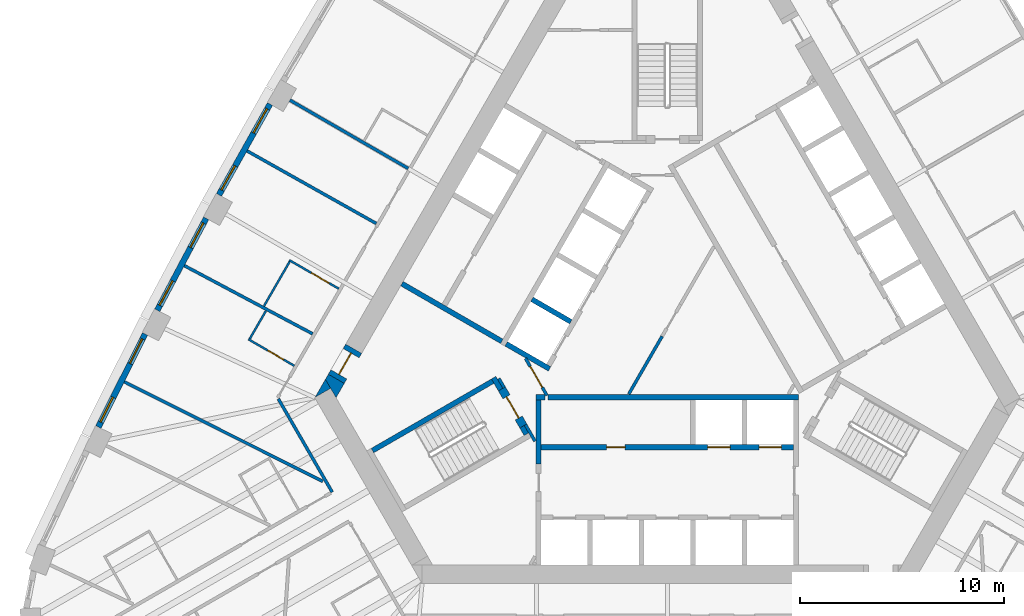
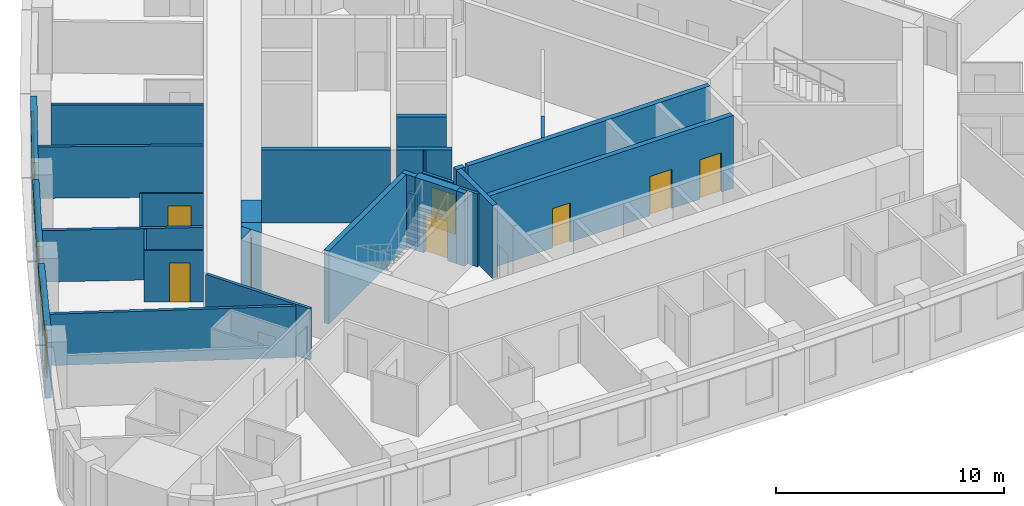
# One storey, part 5 of 13: 30 walls, 8 doors, 6 windows, 14 openings.
"""IFC4 building model written with IfcOpenShell, lengths in metres."""

from ifc_helpers import new_model, si_unit, direction, frame, frame_2d, origin, place, context, subcontext, project, spatial, polyline, rectangle, outline, extrude, material, layer, layer_set, type_object, element, fill, save


model = new_model("IFC4")

# Units and contexts
model_context = context("Model", 3, precision=1e-05, world=origin(), true_north=direction((0.0, 1.0)))
body_context = subcontext(model_context, "Body", "Model", "MODEL_VIEW")
ifc_project = project(units=[si_unit("LENGTHUNIT", "METRE"), si_unit("AREAUNIT", "SQUARE_METRE"), si_unit("VOLUMEUNIT", "CUBIC_METRE"), si_unit("PLANEANGLEUNIT", "RADIAN"), si_unit("MASSUNIT", "GRAM", prefix="KILO")], contexts=[model_context])

# Site, building, storey
site_placement = place(None, origin())
site = spatial("IfcSite", under=ifc_project, at=site_placement, CompositionType="ELEMENT")
building_placement = place(site_placement, origin())
building = spatial("IfcBuilding", under=site, at=building_placement, Name="Mestral Congress Tower", CompositionType="ELEMENT")
storey_placement = place(building_placement, frame((0.0, 0.0, 83.699951171875)))
storey = spatial("IfcBuildingStorey", under=building, at=storey_placement, Name="L19", CompositionType="ELEMENT", Elevation=83.699951171875)

# Walls
ifc_material_1 = material(Name="Fire-rated board partition")
ifc_layer_1 = layer(ifc_material_1, 0.14990234375)
ifc_layer_set_1 = layer_set([ifc_layer_1], Name="Fire-rated board partition")
wall_type_1 = type_object("IfcWallType", Name="Core partition 150", PredefinedType="PARTITIONING", material=ifc_layer_set_1)
wall_1_placement = place(storey_placement, frame((-8.251953125, -2.958251953125, 0.0), z_axis=(0.0, 0.0, 1.0), x_axis=(0.500174715838, -0.865924508047, 0.0)))
element("IfcWall", 1, at=wall_1_placement, inside=storey, type_object=wall_type_1, Name="L19 core wall", PredefinedType="PARTITIONING", context=body_context, shape_type="SweptSolid", body=[
    extrude(rectangle(XDim=0.513916015625, YDim=0.14990234375, at=frame_2d((0.2568359375, 0.0))), origin(), (0.0, 0.0, 1.0), 2.75),
])
wall_2_placement = place(storey_placement, frame((-1.886962890625, -3.71826171875, 0.0), z_axis=(0.0, 0.0, 1.0), x_axis=(0.500033287521, 0.866006184372, 0.0)))
element("IfcWall", 2, at=wall_2_placement, inside=storey, type_object=wall_type_1, Name="L19 core wall", PredefinedType="PARTITIONING", context=body_context, shape_type="SweptSolid", body=[
    extrude(rectangle(XDim=3.263427734375, YDim=0.14990234375, at=frame_2d((1.6318359375, 0.0))), origin(), (0.0, 0.0, 1.0), 2.75),
])

# Wall, opening, door
wall_3_placement = place(storey_placement, frame((-5.89501953125, -3.789794921875, 0.0), z_axis=(0.0, 0.0, 1.0), x_axis=(-0.49994051562, 0.866059744384, 0.0)))
wall_3 = element("IfcWall", 3, at=wall_3_placement, inside=storey, type_object=wall_type_1, Name="L19 door wall", PredefinedType="PARTITIONING", context=body_context, shape_type="SweptSolid", body=[
    extrude(rectangle(XDim=2.099853515625, YDim=0.14990234375, at=frame_2d((1.0498046875, 0.0))), origin(), (0.0, 0.0, 1.0), 2.75),
])
opening_1_placement = place(wall_3_placement, frame((0.449951171875, 0.0, 0.0)))
opening_1 = element("IfcOpeningElement", 4, at=opening_1_placement, cuts=wall_3, Name="Opening CD3-FF", PredefinedType="OPENING", context=body_context, shape_type="SweptSolid", body=[
    extrude(rectangle(XDim=1.199951171875, YDim=2.10009765625, at=frame_2d((0.60009765625, 1.050048828125))), frame((0.0, 0.0849609375, 0.0), z_axis=(0.0, -1.0, 0.0), x_axis=(1.0, 0.0, 0.0)), (0.0, 0.0, 1.0), 0.169921875),
])
ifc_material_2 = material(Name="Fire-rated steel door set", Category="steel")
door_type_1 = type_object("IfcDoorType", Name="Core door CD 1200x2100", OperationType="SINGLE_SWING_LEFT", PredefinedType="DOOR", material=ifc_material_2)
door_1_placement = place(opening_1_placement, origin())
door_1 = element("IfcDoor", 5, at=door_1_placement, inside=storey, type_object=door_type_1, Name="Door CD3-FF", OperationType="SINGLE_SWING_LEFT", OverallHeight=2.10009765625, OverallWidth=1.199951171875, PredefinedType="DOOR", context=body_context, shape_type="SweptSolid", body=[
    extrude(rectangle(XDim=1.199951171875, YDim=2.10009765625, at=frame_2d((0.60009765625, 1.050048828125))), frame((0.0, 0.02490234375, 0.0), z_axis=(0.0, -1.0, 0.0), x_axis=(1.0, 0.0, 0.0)), (0.0, 0.0, 1.0), 0.050048828125),
])
fill(opening_1, door_1)

# Walls
ifc_material_3 = material(Name="Concrete C60/75", Category="concrete")
ifc_layer_2 = layer(ifc_material_3, 0.89990234375)
ifc_layer_set_2 = layer_set([ifc_layer_2], Name="Concrete C60/75")
wall_type_2 = type_object("IfcWallType", Name="Core wall RC 900", PredefinedType="SOLIDWALL", material=ifc_layer_set_2)
placement = place(storey_placement, origin())
element("IfcWall", 6, at=placement, inside=storey, type_object=wall_type_2, Name="L19 core wall", PredefinedType="SOLIDWALL", context=body_context, shape_type="SweptSolid", body=[
    extrude(outline(polyline([(-16.4892578125, -3.43994140625), (-17.251220703125, -3.8798828125), (-16.7431640625, -3.0), (-16.4892578125, -3.43994140625)])), origin(), (0.0, 0.0, 1.0), 3.900146484375),
])
element("IfcWall", 7, at=placement, inside=storey, type_object=wall_type_2, Name="L19 core wall", PredefinedType="SOLIDWALL", context=body_context, shape_type="SweptSolid", body=[
    extrude(outline(polyline([(-15.81982421875, -3.20068359375), (-16.223388671875, -3.89990234375), (-16.7431640625, -3.0), (-16.599365234375, -2.750732421875), (-15.81982421875, -3.20068359375)])), origin(), (0.0, 0.0, 1.0), 3.900146484375),
])

# Wall, opening, door
wall_6_placement = place(storey_placement, frame((-16.20947265625, -2.9755859375, 0.0), z_axis=(0.0, 0.0, 1.0), x_axis=(0.499954529098, 0.86605165483, 0.0)))
wall_6 = element("IfcWall", 8, at=wall_6_placement, inside=storey, type_object=wall_type_2, Name="L19 door wall", PredefinedType="SOLIDWALL", context=body_context, shape_type="SweptSolid", body=[
    extrude(rectangle(XDim=1.699951171875, YDim=0.89990234375, at=frame_2d((0.85009765625, 0.0))), origin(), (0.0, 0.0, 1.0), 3.900146484375),
])
opening_2_placement = place(wall_6_placement, frame((0.25, 0.0, 0.0)))
opening_2 = element("IfcOpeningElement", 9, at=opening_2_placement, cuts=wall_6, Name="Opening XD3", PredefinedType="OPENING", context=body_context, shape_type="SweptSolid", body=[
    extrude(rectangle(XDim=1.199951171875, YDim=2.10009765625, at=frame_2d((0.60009765625, 1.050048828125))), frame((0.0, 0.4599609375, 0.0), z_axis=(0.0, -1.0, 0.0), x_axis=(1.0, 0.0, 0.0)), (0.0, 0.0, 1.0), 0.919921875),
])
door_type_2 = type_object("IfcDoorType", Name="Core door XD 1200x2100", OperationType="SINGLE_SWING_LEFT", PredefinedType="DOOR", material=ifc_material_2)
door_2_placement = place(opening_2_placement, origin())
door_2 = element("IfcDoor", 10, at=door_2_placement, inside=storey, type_object=door_type_2, Name="Door XD3", OperationType="SINGLE_SWING_LEFT", OverallHeight=2.10009765625, OverallWidth=1.199951171875, PredefinedType="DOOR", context=body_context, shape_type="SweptSolid", body=[
    extrude(rectangle(XDim=1.199951171875, YDim=2.10009765625, at=frame_2d((0.60009765625, 1.050048828125))), frame((0.0, 0.02490234375, 0.0), z_axis=(0.0, -1.0, 0.0), x_axis=(1.0, 0.0, 0.0)), (0.0, 0.0, 1.0), 0.050048828125),
])
fill(opening_2, door_2)

# Wall, openings, windows
ifc_material_4 = material(Name="Precast concrete C40/50 with limestone facing", Category="masonry")
ifc_layer_3 = layer(ifc_material_4, 0.2900390625)
ifc_layer_set_3 = layer_set([ifc_layer_3], Name="Precast concrete C40/50 with limestone facing")
wall_type_3 = type_object("IfcWallType", Name="Facade stone wall 290", PredefinedType="SOLIDWALL", material=ifc_layer_set_3)
wall_7_placement = place(storey_placement, frame((-19.4580078125, 10.479736328125, 0.0), z_axis=(0.0, 0.0, 1.0), x_axis=(-0.48983164787, -0.87181704316, 0.0)))
wall_7 = element("IfcWall", 11, at=wall_7_placement, inside=storey, type_object=wall_type_3, Name="Facade wall F2-04", PredefinedType="SOLIDWALL", context=body_context, shape_type="SweptSolid", body=[
    extrude(rectangle(XDim=5.100341796875, YDim=0.2900390625, at=frame_2d((2.55029296875, 0.0))), origin(), (0.0, 0.0, 1.0), 3.650146484375),
])
opening_3_placement = place(wall_7_placement, frame((0.2724609375, 0.0, 0.89990234375)))
opening_3 = element("IfcOpeningElement", 12, at=opening_3_placement, cuts=wall_7, Name="Opening W2", PredefinedType="OPENING", context=body_context, shape_type="SweptSolid", body=[
    extrude(rectangle(XDim=1.35009765625, YDim=2.14990234375, at=frame_2d((0.675048828125, 1.074951171875))), frame((0.0, 0.155029296875, 0.0), z_axis=(0.0, -1.0, 0.0), x_axis=(1.0, 0.0, 0.0)), (0.0, 0.0, 1.0), 0.31005859375),
])
opening_4_placement = place(wall_7_placement, frame((3.477783203125, 0.0, 0.89990234375)))
opening_4 = element("IfcOpeningElement", 13, at=opening_4_placement, cuts=wall_7, Name="Opening W2", PredefinedType="OPENING", context=body_context, shape_type="SweptSolid", body=[
    extrude(rectangle(XDim=1.35009765625, YDim=2.14990234375, at=frame_2d((0.675048828125, 1.074951171875))), frame((0.0, 0.155029296875, 0.0), z_axis=(0.0, -1.0, 0.0), x_axis=(1.0, 0.0, 0.0)), (0.0, 0.0, 1.0), 0.31005859375),
])
ifc_material_5 = material(Name="Clear low-emissivity double glazing", Category="glass")
window_type = type_object("IfcWindowType", Name="Facade punched window 1350 x 2150 sill 900", PartitioningType="DOUBLE_PANEL_VERTICAL", PredefinedType="WINDOW", material=ifc_material_5)
window_1_placement = place(opening_3_placement, origin())
window_1 = element("IfcWindow", 14, at=window_1_placement, inside=storey, type_object=window_type, Name="Window F2-04a", OverallHeight=2.14990234375, OverallWidth=1.35009765625, PartitioningType="DOUBLE_PANEL_VERTICAL", PredefinedType="WINDOW", context=body_context, shape_type="SweptSolid", body=[
    extrude(rectangle(XDim=1.35009765625, YDim=2.14990234375, at=frame_2d((0.675048828125, 1.074951171875))), frame((0.0, 0.01513671875, 0.0), z_axis=(0.0, -1.0, 0.0), x_axis=(1.0, 0.0, 0.0)), (0.0, 0.0, 1.0), 0.06005859375),
])
fill(opening_3, window_1)
window_2_placement = place(opening_4_placement, origin())
window_2 = element("IfcWindow", 15, at=window_2_placement, inside=storey, type_object=window_type, Name="Window F2-04b", OverallHeight=2.14990234375, OverallWidth=1.35009765625, PartitioningType="DOUBLE_PANEL_VERTICAL", PredefinedType="WINDOW", context=body_context, shape_type="SweptSolid", body=[
    extrude(rectangle(XDim=1.35009765625, YDim=2.14990234375, at=frame_2d((0.675048828125, 1.074951171875))), frame((0.0, 0.01513671875, 0.0), z_axis=(0.0, -1.0, 0.0), x_axis=(1.0, 0.0, 0.0)), (0.0, 0.0, 1.0), 0.06005859375),
])
fill(opening_4, window_2)

wall_8_placement = place(storey_placement, frame((-22.5830078125, 4.88671875, 0.0), z_axis=(0.0, 0.0, 1.0), x_axis=(-0.469323203119, -0.883026461106, 0.0)))
wall_8 = element("IfcWall", 16, at=wall_8_placement, inside=storey, type_object=wall_type_3, Name="Facade wall F2-05", PredefinedType="SOLIDWALL", context=body_context, shape_type="SweptSolid", body=[
    extrude(rectangle(XDim=5.1005859375, YDim=0.2900390625, at=frame_2d((2.55029296875, 0.0))), origin(), (0.0, 0.0, 1.0), 3.650146484375),
])
opening_5_placement = place(wall_8_placement, frame((0.272705078125, 0.0, 0.89990234375)))
opening_5 = element("IfcOpeningElement", 17, at=opening_5_placement, cuts=wall_8, Name="Opening W2", PredefinedType="OPENING", context=body_context, shape_type="SweptSolid", body=[
    extrude(rectangle(XDim=1.35009765625, YDim=2.14990234375, at=frame_2d((0.675048828125, 1.074951171875))), frame((0.0, 0.155029296875, 0.0), z_axis=(0.0, -1.0, 0.0), x_axis=(1.0, 0.0, 0.0)), (0.0, 0.0, 1.0), 0.31005859375),
])
opening_6_placement = place(wall_8_placement, frame((3.477783203125, 0.0, 0.89990234375)))
opening_6 = element("IfcOpeningElement", 18, at=opening_6_placement, cuts=wall_8, Name="Opening W2", PredefinedType="OPENING", context=body_context, shape_type="SweptSolid", body=[
    extrude(rectangle(XDim=1.35009765625, YDim=2.14990234375, at=frame_2d((0.675048828125, 1.074951171875))), frame((0.0, 0.155029296875, 0.0), z_axis=(0.0, -1.0, 0.0), x_axis=(1.0, 0.0, 0.0)), (0.0, 0.0, 1.0), 0.31005859375),
])
window_3_placement = place(opening_5_placement, origin())
window_3 = element("IfcWindow", 19, at=window_3_placement, inside=storey, type_object=window_type, Name="Window F2-05a", OverallHeight=2.14990234375, OverallWidth=1.35009765625, PartitioningType="DOUBLE_PANEL_VERTICAL", PredefinedType="WINDOW", context=body_context, shape_type="SweptSolid", body=[
    extrude(rectangle(XDim=1.35009765625, YDim=2.14990234375, at=frame_2d((0.675048828125, 1.074951171875))), frame((0.0, 0.01513671875, 0.0), z_axis=(0.0, -1.0, 0.0), x_axis=(1.0, 0.0, 0.0)), (0.0, 0.0, 1.0), 0.06005859375),
])
fill(opening_5, window_3)
window_4_placement = place(opening_6_placement, origin())
window_4 = element("IfcWindow", 20, at=window_4_placement, inside=storey, type_object=window_type, Name="Window F2-05b", OverallHeight=2.14990234375, OverallWidth=1.35009765625, PartitioningType="DOUBLE_PANEL_VERTICAL", PredefinedType="WINDOW", context=body_context, shape_type="SweptSolid", body=[
    extrude(rectangle(XDim=1.35009765625, YDim=2.14990234375, at=frame_2d((0.675048828125, 1.074951171875))), frame((0.0, 0.01513671875, 0.0), z_axis=(0.0, -1.0, 0.0), x_axis=(1.0, 0.0, 0.0)), (0.0, 0.0, 1.0), 0.06005859375),
])
fill(opening_6, window_4)

wall_9_placement = place(storey_placement, frame((-25.576416015625, -0.77783203125, 0.0), z_axis=(0.0, 0.0, 1.0), x_axis=(-0.448534297211, -0.893765620409, 0.0)))
wall_9 = element("IfcWall", 21, at=wall_9_placement, inside=storey, type_object=wall_type_3, Name="Facade wall F2-06", PredefinedType="SOLIDWALL", context=body_context, shape_type="SweptSolid", body=[
    extrude(rectangle(XDim=5.10009765625, YDim=0.2900390625, at=frame_2d((2.550048828125, 0.0))), origin(), (0.0, 0.0, 1.0), 3.650146484375),
])
opening_7_placement = place(wall_9_placement, frame((0.2724609375, 0.0, 0.89990234375)))
opening_7 = element("IfcOpeningElement", 22, at=opening_7_placement, cuts=wall_9, Name="Opening W2", PredefinedType="OPENING", context=body_context, shape_type="SweptSolid", body=[
    extrude(rectangle(XDim=1.35009765625, YDim=2.14990234375, at=frame_2d((0.675048828125, 1.074951171875))), frame((0.0, 0.155029296875, 0.0), z_axis=(0.0, -1.0, 0.0), x_axis=(1.0, 0.0, 0.0)), (0.0, 0.0, 1.0), 0.31005859375),
])
opening_8_placement = place(wall_9_placement, frame((3.477783203125, 0.0, 0.89990234375)))
opening_8 = element("IfcOpeningElement", 23, at=opening_8_placement, cuts=wall_9, Name="Opening W2", PredefinedType="OPENING", context=body_context, shape_type="SweptSolid", body=[
    extrude(rectangle(XDim=1.35009765625, YDim=2.14990234375, at=frame_2d((0.675048828125, 1.074951171875))), frame((0.0, 0.155029296875, 0.0), z_axis=(0.0, -1.0, 0.0), x_axis=(1.0, 0.0, 0.0)), (0.0, 0.0, 1.0), 0.31005859375),
])
window_5_placement = place(opening_7_placement, origin())
window_5 = element("IfcWindow", 24, at=window_5_placement, inside=storey, type_object=window_type, Name="Window F2-06a", OverallHeight=2.14990234375, OverallWidth=1.35009765625, PartitioningType="DOUBLE_PANEL_VERTICAL", PredefinedType="WINDOW", context=body_context, shape_type="SweptSolid", body=[
    extrude(rectangle(XDim=1.35009765625, YDim=2.14990234375, at=frame_2d((0.675048828125, 1.074951171875))), frame((0.0, 0.01513671875, 0.0), z_axis=(0.0, -1.0, 0.0), x_axis=(1.0, 0.0, 0.0)), (0.0, 0.0, 1.0), 0.06005859375),
])
fill(opening_7, window_5)
window_6_placement = place(opening_8_placement, origin())
window_6 = element("IfcWindow", 25, at=window_6_placement, inside=storey, type_object=window_type, Name="Window F2-06b", OverallHeight=2.14990234375, OverallWidth=1.35009765625, PartitioningType="DOUBLE_PANEL_VERTICAL", PredefinedType="WINDOW", context=body_context, shape_type="SweptSolid", body=[
    extrude(rectangle(XDim=1.35009765625, YDim=2.14990234375, at=frame_2d((0.675048828125, 1.074951171875))), frame((0.0, 0.01513671875, 0.0), z_axis=(0.0, -1.0, 0.0), x_axis=(1.0, 0.0, 0.0)), (0.0, 0.0, 1.0), 0.06005859375),
])
fill(opening_8, window_6)

# Wall, opening, door
ifc_material_6 = material(Name="Gypsum board partition on metal studs with mineral wool", Category="composite")
ifc_layer_4 = layer(ifc_material_6, 0.10009765625)
ifc_layer_set_4 = layer_set([ifc_layer_4], Name="Gypsum board partition on metal studs with mineral wool")
wall_type_4 = type_object("IfcWallType", Name="Hotel partition wall 100", PredefinedType="PARTITIONING", material=ifc_layer_set_4)
wall_10_placement = place(storey_placement, frame((-16.08740234375, 1.435791015625, 0.0), z_axis=(0.0, 0.0, 1.0), x_axis=(-0.866034573852, 0.49998411664, 0.0)))
wall_10 = element("IfcWall", 26, at=wall_10_placement, inside=storey, type_object=wall_type_4, Name="L19-h-pod24a", PredefinedType="PARTITIONING", context=body_context, shape_type="SweptSolid", body=[
    extrude(rectangle(XDim=2.7998046875, YDim=0.10009765625, at=frame_2d((1.39990234375, 0.0))), origin(), (0.0, 0.0, 1.0), 2.75),
])
opening_9_placement = place(wall_10_placement, frame((0.550048828125, 0.0, 0.0)))
opening_9 = element("IfcOpeningElement", 27, at=opening_9_placement, cuts=wall_10, Name="Opening H06-045", PredefinedType="OPENING", context=body_context, shape_type="SweptSolid", body=[
    extrude(rectangle(XDim=1.0, YDim=2.10009765625, at=frame_2d((0.5, 1.050048828125))), frame((0.0, 0.06005859375, 0.0), z_axis=(0.0, -1.0, 0.0), x_axis=(1.0, 0.0, 0.0)), (0.0, 0.0, 1.0), 0.1201171875),
])
ifc_material_7 = material(Name="Timber veneer door leaf in timber frame", Category="wood")
door_type_3 = type_object("IfcDoorType", Name="Accessible bathroom door 1000", OperationType="SINGLE_SWING_LEFT", PredefinedType="DOOR", material=ifc_material_7)
door_3_placement = place(opening_9_placement, origin())
door_3 = element("IfcDoor", 28, at=door_3_placement, inside=storey, type_object=door_type_3, Name="L19-h-d045", OperationType="SINGLE_SWING_RIGHT", OverallHeight=2.10009765625, OverallWidth=1.0, PredefinedType="DOOR", context=body_context, shape_type="SweptSolid", body=[
    extrude(rectangle(XDim=1.0, YDim=2.10009765625, at=frame_2d((0.5, 1.050048828125))), frame((0.0, 0.02490234375, 0.0), z_axis=(0.0, -1.0, 0.0), x_axis=(1.0, 0.0, 0.0)), (0.0, 0.0, 1.0), 0.050048828125),
])
fill(opening_9, door_3)

# Wall
wall_11_placement = place(storey_placement, frame((-18.493896484375, 2.767578125, 0.0), z_axis=(0.0, 0.0, 1.0), x_axis=(-0.500004791531, -0.866022637375, 0.0)))
element("IfcWall", 29, at=wall_11_placement, inside=storey, type_object=wall_type_4, Name="L19-h-pod24b", PredefinedType="PARTITIONING", context=body_context, shape_type="SweptSolid", body=[
    extrude(rectangle(XDim=2.52001953125, YDim=0.10009765625, at=frame_2d((1.260009765625, 0.0))), origin(), (0.0, 0.0, 1.0), 2.75),
])

# Wall, opening, door
wall_12_placement = place(storey_placement, frame((-20.517578125, -1.037353515625, 0.0), z_axis=(0.0, 0.0, 1.0), x_axis=(0.866021400173, -0.500006934395, 0.0)))
wall_12 = element("IfcWall", 30, at=wall_12_placement, inside=storey, type_object=wall_type_4, Name="L19-h-pod25a", PredefinedType="PARTITIONING", context=body_context, shape_type="SweptSolid", body=[
    extrude(rectangle(XDim=2.60009765625, YDim=0.10009765625, at=frame_2d((1.300048828125, 0.0))), origin(), (0.0, 0.0, 1.0), 2.75),
])
opening_10_placement = place(wall_12_placement, frame((1.10009765625, 0.0, 0.0)))
opening_10 = element("IfcOpeningElement", 31, at=opening_10_placement, cuts=wall_12, Name="Opening H06-047", PredefinedType="OPENING", context=body_context, shape_type="SweptSolid", body=[
    extrude(rectangle(XDim=0.89990234375, YDim=2.10009765625, at=frame_2d((0.449951171875, 1.050048828125))), frame((0.0, 0.06005859375, 0.0), z_axis=(0.0, -1.0, 0.0), x_axis=(1.0, 0.0, 0.0)), (0.0, 0.0, 1.0), 0.1201171875),
])
door_type_4 = type_object("IfcDoorType", Name="Bathroom door 900", OperationType="SINGLE_SWING_LEFT", PredefinedType="DOOR", material=ifc_material_7)
door_4_placement = place(opening_10_placement, origin())
door_4 = element("IfcDoor", 32, at=door_4_placement, inside=storey, type_object=door_type_4, Name="L19-h-d047", OperationType="SINGLE_SWING_LEFT", OverallHeight=2.10009765625, OverallWidth=0.89990234375, PredefinedType="DOOR", context=body_context, shape_type="SweptSolid", body=[
    extrude(rectangle(XDim=0.89990234375, YDim=2.10009765625, at=frame_2d((0.449951171875, 1.050048828125))), frame((0.0, 0.02490234375, 0.0), z_axis=(0.0, -1.0, 0.0), x_axis=(1.0, 0.0, 0.0)), (0.0, 0.0, 1.0), 0.050048828125),
])
fill(opening_10, door_4)

# Walls
wall_13_placement = place(storey_placement, frame((-20.44921875, -1.01904296875, 0.0), z_axis=(0.0, 0.0, 1.0), x_axis=(0.500061319399, 0.865989998118, 0.0)))
element("IfcWall", 33, at=wall_13_placement, inside=storey, type_object=wall_type_4, Name="L19-h-pod25b", PredefinedType="PARTITIONING", context=body_context, shape_type="SweptSolid", body=[
    extrude(rectangle(XDim=1.579833984375, YDim=0.10009765625, at=frame_2d((0.7900390625, 0.0))), origin(), (0.0, 0.0, 1.0), 2.75),
])
ifc_layer_5 = layer(ifc_material_6, 0.14990234375)
ifc_layer_set_5 = layer_set([ifc_layer_5], Name="Gypsum board partition on metal studs with mineral wool")
wall_type_5 = type_object("IfcWallType", Name="Hotel partition wall 150", PredefinedType="PARTITIONING", material=ifc_layer_set_5)
wall_14_placement = place(storey_placement, frame((-16.412353515625, -8.52294921875, 0.0), z_axis=(0.0, 0.0, 1.0), x_axis=(-0.500001929737, 0.866024289647, 0.0)))
element("IfcWall", 34, at=wall_14_placement, inside=storey, type_object=wall_type_5, Name="L19-h-cw09", PredefinedType="PARTITIONING", context=body_context, shape_type="SweptSolid", body=[
    extrude(rectangle(XDim=5.26806640625, YDim=0.14990234375, at=frame_2d((2.634033203125, 0.0))), origin(), (0.0, 0.0, 1.0), 2.75),
])
wall_15_placement = place(storey_placement, frame((-23.65185546875, 2.56689453125, 0.0), z_axis=(0.0, 0.0, 1.0), x_axis=(0.883019237957, -0.469336793144, 0.0)))
element("IfcWall", 35, at=wall_15_placement, inside=storey, type_object=wall_type_5, Name="L19-h-pw05", PredefinedType="PARTITIONING", context=body_context, shape_type="SweptSolid", body=[
    extrude(rectangle(XDim=7.11083984375, YDim=0.14990234375, at=frame_2d((3.555419921875, 0.0))), origin(), (0.0, 0.0, 1.0), 2.75),
])
wall_16_placement = place(storey_placement, frame((-26.590576171875, -3.1220703125, 0.0), z_axis=(0.0, 0.0, 1.0), x_axis=(0.893766213273, -0.448533115847, 0.0)))
element("IfcWall", 36, at=wall_16_placement, inside=storey, type_object=wall_type_5, Name="L19-h-pw06", PredefinedType="PARTITIONING", context=body_context, shape_type="SweptSolid", body=[
    extrude(rectangle(XDim=10.875244140625, YDim=0.14990234375, at=frame_2d((5.4375, 0.0))), origin(), (0.0, 0.0, 1.0), 2.75),
])
wall_17_placement = place(storey_placement, frame((-20.580810546875, 8.185302734375, 0.0), z_axis=(0.0, 0.0, 1.0), x_axis=(0.871820720803, -0.489825102233, 0.0)))
element("IfcWall", 37, at=wall_17_placement, inside=storey, type_object=wall_type_5, Name="L19-h-pw07", PredefinedType="PARTITIONING", context=body_context, shape_type="SweptSolid", body=[
    extrude(rectangle(XDim=7.256591796875, YDim=0.14990234375, at=frame_2d((3.62841796875, 0.0))), origin(), (0.0, 0.0, 1.0), 2.75),
])
wall_18_placement = place(storey_placement, frame((-18.484130859375, 10.671875, 0.0), z_axis=(0.0, 0.0, 1.0), x_axis=(0.866019162053, -0.50001081084, 0.0)))
element("IfcWall", 38, at=wall_18_placement, inside=storey, type_object=wall_type_5, Name="L19-h-pw08", PredefinedType="PARTITIONING", context=body_context, shape_type="SweptSolid", body=[
    extrude(rectangle(XDim=6.693603515625, YDim=0.14990234375, at=frame_2d((3.3466796875, 0.0))), origin(), (0.0, 0.0, 1.0), 2.75),
])
ifc_layer_6 = layer(ifc_material_3, 0.25)
ifc_layer_set_6 = layer_set([ifc_layer_6], Name="Concrete C60/75")
wall_type_6 = type_object("IfcWallType", Name="Shaft wall RC 250", PredefinedType="SOLIDWALL", material=ifc_layer_set_6)
wall_19_placement = place(storey_placement, frame((-5.844970703125, -3.875, 0.0), z_axis=(0.0, 0.0, 1.0), x_axis=(1.0, 0.0, 0.0)))
element("IfcWall", 39, at=wall_19_placement, inside=storey, type_object=wall_type_6, Name="L19 core wall", PredefinedType="SOLIDWALL", context=body_context, shape_type="SweptSolid", body=[
    extrude(rectangle(XDim=12.27001953125, YDim=0.25, at=frame_2d((6.135009765625, 0.0))), origin(), (0.0, 0.0, 1.0), 3.900146484375),
])
wall_20_placement = place(storey_placement, frame((-6.425048828125, -3.875, 0.0), z_axis=(0.0, 0.0, 1.0), x_axis=(1.0, 0.0, 0.0)))
element("IfcWall", 40, at=wall_20_placement, inside=storey, type_object=wall_type_6, Name="L19 core wall", PredefinedType="SOLIDWALL", context=body_context, shape_type="SweptSolid", body=[
    extrude(rectangle(XDim=0.427978515625, YDim=0.25, at=frame_2d((0.2138671875, 0.0))), origin(), (0.0, 0.0, 1.0), 3.900146484375),
])
wall_21_placement = place(storey_placement, frame((-6.300048828125, -4.0, 0.0), z_axis=(0.0, 0.0, 1.0), x_axis=(0.0, -1.0, 0.0)))
element("IfcWall", 41, at=wall_21_placement, inside=storey, type_object=wall_type_6, Name="L19 core wall", PredefinedType="SOLIDWALL", context=body_context, shape_type="SweptSolid", body=[
    extrude(rectangle(XDim=3.154296875, YDim=0.25, at=frame_2d((1.5771484375, 0.0))), origin(), (0.0, 0.0, 1.0), 3.900146484375),
])
wall_22_placement = place(storey_placement, frame((-4.72412109375, -0.182373046875, 0.0), z_axis=(0.0, 0.0, 1.0), x_axis=(-0.866008176907, 0.50002983664, 0.0)))
element("IfcWall", 42, at=wall_22_placement, inside=storey, type_object=wall_type_6, Name="L19 core wall", PredefinedType="SOLIDWALL", context=body_context, shape_type="SweptSolid", body=[
    extrude(rectangle(XDim=2.199951171875, YDim=0.25, at=frame_2d((1.10009765625, 0.0))), origin(), (0.0, 0.0, 1.0), 3.900146484375),
])
element("IfcWall", 43, at=placement, inside=storey, type_object=wall_type_6, Name="L19 core wall", PredefinedType="SOLIDWALL", context=body_context, shape_type="SweptSolid", body=[
    extrude(outline(polyline([(-5.921630859375, -2.256591796875), (-5.921630859375, -2.256591796875), (-5.705078125, -2.381591796875), (-5.830078125, -2.597900390625), (-6.829345703125, -2.02099609375), (-6.8798828125, -1.93359375), (-6.8798828125, -1.93359375), (-6.930419921875, -1.962646484375), (-7.951904296875, -1.373046875), (-7.826904296875, -1.156494140625), (-5.921630859375, -2.256591796875)])), origin(), (0.0, 0.0, 1.0), 3.900146484375),
])
wall_24_placement = place(storey_placement, frame((-8.10595703125, -1.139892578125, 0.0), z_axis=(0.0, 0.0, 1.0), x_axis=(-0.866000643155, 0.500042884217, 0.0)))
element("IfcWall", 44, at=wall_24_placement, inside=storey, type_object=wall_type_6, Name="L19 core wall", PredefinedType="SOLIDWALL", context=body_context, shape_type="SweptSolid", body=[
    extrude(rectangle(XDim=5.64990234375, YDim=0.25, at=frame_2d((2.824951171875, 0.0))), origin(), (0.0, 0.0, 1.0), 3.900146484375),
])

# Wall, openings, doors
wall_25_placement = place(storey_placement, frame((-6.175048828125, -6.324951171875, 0.0), z_axis=(0.0, 0.0, 1.0), x_axis=(1.0, 0.0, 0.0)))
wall_25 = element("IfcWall", 45, at=wall_25_placement, inside=storey, type_object=wall_type_6, Name="L19 door wall", PredefinedType="SOLIDWALL", context=body_context, shape_type="SweptSolid", body=[
    extrude(rectangle(XDim=12.35009765625, YDim=0.25, at=frame_2d((6.175048828125, 0.0))), origin(), (0.0, 0.0, 1.0), 3.900146484375),
])
opening_11_placement = place(wall_25_placement, frame((3.205078125, 0.0, 0.0)))
opening_11 = element("IfcOpeningElement", 46, at=opening_11_placement, cuts=wall_25, Name="Opening SR-SOB1", PredefinedType="OPENING", context=body_context, shape_type="SweptSolid", body=[
    extrude(rectangle(XDim=0.89990234375, YDim=2.10009765625, at=frame_2d((0.449951171875, 1.050048828125))), frame((0.0, 0.135009765625, 0.0), z_axis=(0.0, -1.0, 0.0), x_axis=(1.0, 0.0, 0.0)), (0.0, 0.0, 1.0), 0.27001953125),
])
opening_12_placement = place(wall_25_placement, frame((8.14501953125, 0.0, 0.0)))
opening_12 = element("IfcOpeningElement", 47, at=opening_12_placement, cuts=wall_25, Name="Opening LD-SOB4", PredefinedType="OPENING", context=body_context, shape_type="SweptSolid", body=[
    extrude(rectangle(XDim=1.10009765625, YDim=2.10009765625, at=frame_2d((0.550048828125, 1.050048828125))), frame((0.0, 0.135009765625, 0.0), z_axis=(0.0, -1.0, 0.0), x_axis=(1.0, 0.0, 0.0)), (0.0, 0.0, 1.0), 0.27001953125),
])
opening_13_placement = place(wall_25_placement, frame((10.6650390625, 0.0, 0.0)))
opening_13 = element("IfcOpeningElement", 48, at=opening_13_placement, cuts=wall_25, Name="Opening LD-SOB5", PredefinedType="OPENING", context=body_context, shape_type="SweptSolid", body=[
    extrude(rectangle(XDim=1.10009765625, YDim=2.10009765625, at=frame_2d((0.550048828125, 1.050048828125))), frame((0.0, 0.135009765625, 0.0), z_axis=(0.0, -1.0, 0.0), x_axis=(1.0, 0.0, 0.0)), (0.0, 0.0, 1.0), 0.27001953125),
])
door_type_5 = type_object("IfcDoorType", Name="Core door LD 1100x2100", OperationType="DOUBLE_DOOR_SLIDING", PredefinedType="DOOR", material=ifc_material_2)
door_5_placement = place(opening_12_placement, origin())
door_5 = element("IfcDoor", 49, at=door_5_placement, inside=storey, type_object=door_type_5, Name="Door LD-SOB4", OperationType="DOUBLE_DOOR_SLIDING", OverallHeight=2.10009765625, OverallWidth=1.10009765625, PredefinedType="DOOR", context=body_context, shape_type="SweptSolid", body=[
    extrude(rectangle(XDim=1.10009765625, YDim=2.10009765625, at=frame_2d((0.550048828125, 1.050048828125))), frame((0.0, 0.02490234375, 0.0), z_axis=(0.0, -1.0, 0.0), x_axis=(1.0, 0.0, 0.0)), (0.0, 0.0, 1.0), 0.050048828125),
])
fill(opening_12, door_5)
door_6_placement = place(opening_13_placement, origin())
door_6 = element("IfcDoor", 50, at=door_6_placement, inside=storey, type_object=door_type_5, Name="Door LD-SOB5", OperationType="DOUBLE_DOOR_SLIDING", OverallHeight=2.10009765625, OverallWidth=1.10009765625, PredefinedType="DOOR", context=body_context, shape_type="SweptSolid", body=[
    extrude(rectangle(XDim=1.10009765625, YDim=2.10009765625, at=frame_2d((0.550048828125, 1.050048828125))), frame((0.0, 0.02490234375, 0.0), z_axis=(0.0, -1.0, 0.0), x_axis=(1.0, 0.0, 0.0)), (0.0, 0.0, 1.0), 0.050048828125),
])
fill(opening_13, door_6)
door_type_6 = type_object("IfcDoorType", Name="Core door SR 900x2100", OperationType="SINGLE_SWING_LEFT", PredefinedType="DOOR", material=ifc_material_2)
door_7_placement = place(opening_11_placement, origin())
door_7 = element("IfcDoor", 51, at=door_7_placement, inside=storey, type_object=door_type_6, Name="Door SR-SOB1", OperationType="SINGLE_SWING_LEFT", OverallHeight=2.10009765625, OverallWidth=0.89990234375, PredefinedType="DOOR", context=body_context, shape_type="SweptSolid", body=[
    extrude(rectangle(XDim=0.89990234375, YDim=2.10009765625, at=frame_2d((0.449951171875, 1.050048828125))), frame((0.0, 0.02490234375, 0.0), z_axis=(0.0, -1.0, 0.0), x_axis=(1.0, 0.0, 0.0)), (0.0, 0.0, 1.0), 0.050048828125),
])
fill(opening_11, door_7)

# Walls
ifc_layer_7 = layer(ifc_material_3, 0.14990234375)
ifc_layer_set_7 = layer_set([ifc_layer_7], Name="Concrete C60/75")
wall_type_7 = type_object("IfcWallType", Name="Shaft wall RC 250 door-wall 150", PredefinedType="SOLIDWALL", material=ifc_layer_set_7)
wall_26_placement = place(storey_placement, frame((-6.48046875, -6.026611328125, 0.0), z_axis=(0.0, 0.0, 1.0), x_axis=(-0.499927229454, 0.866067413802, 0.0)))
element("IfcWall", 52, at=wall_26_placement, inside=storey, type_object=wall_type_7, Name="L19 core wall", PredefinedType="PARTITIONING", context=body_context, shape_type="SweptSolid", body=[
    extrude(rectangle(XDim=0.928955078125, YDim=0.14990234375, at=frame_2d((0.46435546875, 0.0))), origin(), (0.0, 0.0, 1.0), 3.900146484375),
])
ifc_layer_8 = layer(ifc_material_3, 0.25)
ifc_layer_set_8 = layer_set([ifc_layer_8], Name="Concrete C60/75")
wall_type_8 = type_object("IfcWallType", Name="Stair wall RC 250", PredefinedType="SOLIDWALL", material=ifc_layer_set_8)
wall_27_placement = place(storey_placement, frame((-14.43994140625, -6.489501953125, 0.0), z_axis=(0.0, 0.0, 1.0), x_axis=(0.866022966069, 0.500004222222, 0.0)))
element("IfcWall", 53, at=wall_27_placement, inside=storey, type_object=wall_type_8, Name="L19 core wall", PredefinedType="SOLIDWALL", context=body_context, shape_type="SweptSolid", body=[
    extrude(rectangle(XDim=6.80029296875, YDim=0.25, at=frame_2d((3.400146484375, 0.0))), origin(), (0.0, 0.0, 1.0), 3.900146484375),
])
wall_28_placement = place(storey_placement, frame((-8.167724609375, -3.503173828125, 0.0), z_axis=(0.0, 0.0, 1.0), x_axis=(-0.499952099219, 0.866053057547, 0.0)))
element("IfcWall", 54, at=wall_28_placement, inside=storey, type_object=wall_type_8, Name="L19 core wall", PredefinedType="SOLIDWALL", context=body_context, shape_type="SweptSolid", body=[
    extrude(rectangle(XDim=0.6748046875, YDim=0.25, at=frame_2d((0.33740234375, 0.0))), origin(), (0.0, 0.0, 1.0), 3.900146484375),
])
wall_29_placement = place(storey_placement, frame((-6.905029296875, -5.68994140625, 0.0), z_axis=(0.0, 0.0, 1.0), x_axis=(-0.500402024738, 0.865793170242, 0.0)))
element("IfcWall", 55, at=wall_29_placement, inside=storey, type_object=wall_type_8, Name="L19 core wall", PredefinedType="SOLIDWALL", context=body_context, shape_type="SweptSolid", body=[
    extrude(rectangle(XDim=0.425048828125, YDim=0.25, at=frame_2d((0.21240234375, 0.0))), origin(), (0.0, 0.0, 1.0), 3.900146484375),
])

# Wall, opening, door
ifc_layer_9 = layer(ifc_material_3, 0.39990234375)
ifc_layer_set_9 = layer_set([ifc_layer_9], Name="Concrete C60/75")
wall_type_9 = type_object("IfcWallType", Name="Stair wall RC 250 door-wall 400", PredefinedType="SOLIDWALL", material=ifc_layer_set_9)
wall_30_placement = place(storey_placement, frame((-8.102783203125, -3.4658203125, 0.0), z_axis=(0.0, 0.0, 1.0), x_axis=(0.500078061341, -0.865980330357, 0.0)))
wall_30 = element("IfcWall", 56, at=wall_30_placement, inside=storey, type_object=wall_type_9, Name="L19 door wall", PredefinedType="SOLIDWALL", context=body_context, shape_type="SweptSolid", body=[
    extrude(rectangle(XDim=2.099853515625, YDim=0.39990234375, at=frame_2d((1.0498046875, 0.0))), origin(), (0.0, 0.0, 1.0), 3.900146484375),
])
opening_14_placement = place(wall_30_placement, frame((0.449951171875, 0.0, 0.0)))
opening_14 = element("IfcOpeningElement", 57, at=opening_14_placement, cuts=wall_30, Name="Opening ST-D3", PredefinedType="OPENING", context=body_context, shape_type="SweptSolid", body=[
    extrude(rectangle(XDim=1.199951171875, YDim=2.10009765625, at=frame_2d((0.60009765625, 1.050048828125))), frame((0.0, 0.2099609375, 0.0), z_axis=(0.0, -1.0, 0.0), x_axis=(1.0, 0.0, 0.0)), (0.0, 0.0, 1.0), 0.419921875),
])
door_type_7 = type_object("IfcDoorType", Name="Core door ST 1200x2100", OperationType="SINGLE_SWING_LEFT", PredefinedType="DOOR", material=ifc_material_2)
door_8_placement = place(opening_14_placement, origin())
door_8 = element("IfcDoor", 58, at=door_8_placement, inside=storey, type_object=door_type_7, Name="Door ST-D3", OperationType="SINGLE_SWING_LEFT", OverallHeight=2.10009765625, OverallWidth=1.199951171875, PredefinedType="DOOR", context=body_context, shape_type="SweptSolid", body=[
    extrude(rectangle(XDim=1.199951171875, YDim=2.10009765625, at=frame_2d((0.60009765625, 1.050048828125))), frame((0.0, 0.02490234375, 0.0), z_axis=(0.0, -1.0, 0.0), x_axis=(1.0, 0.0, 0.0)), (0.0, 0.0, 1.0), 0.050048828125),
])
fill(opening_14, door_8)

save(model, "model.ifc")
